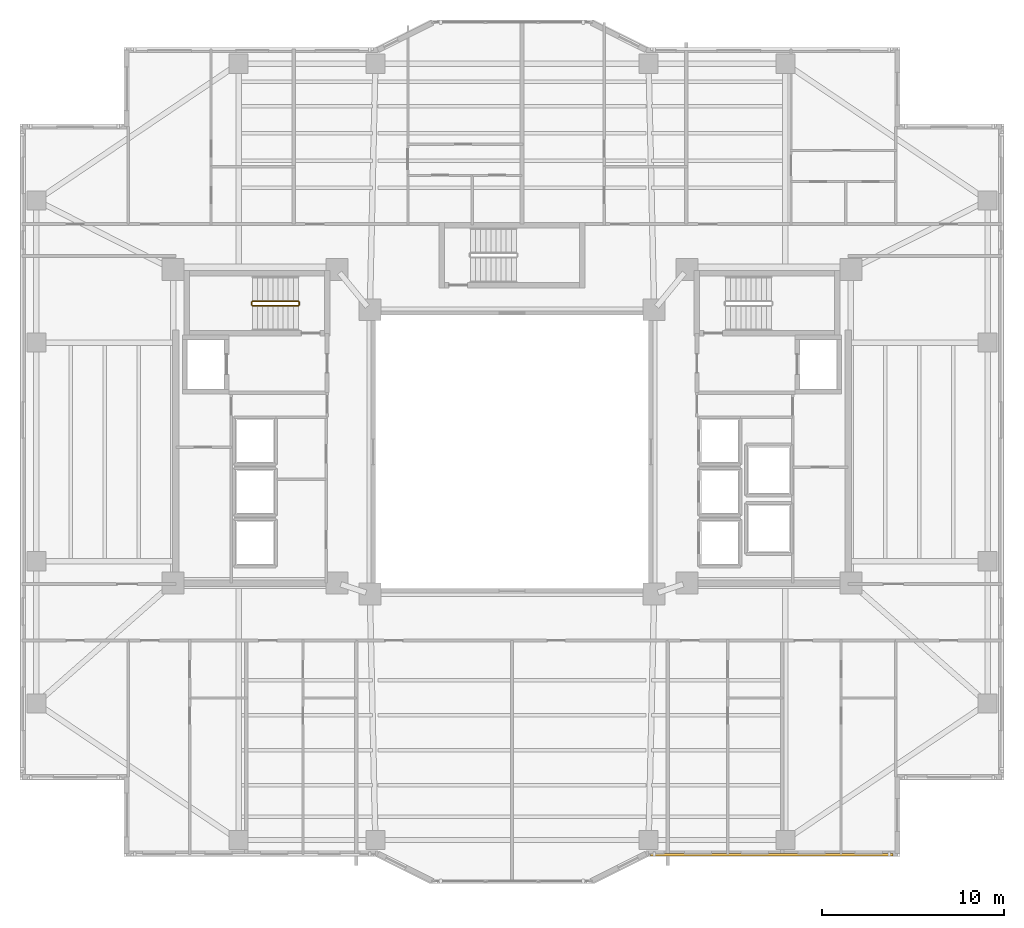
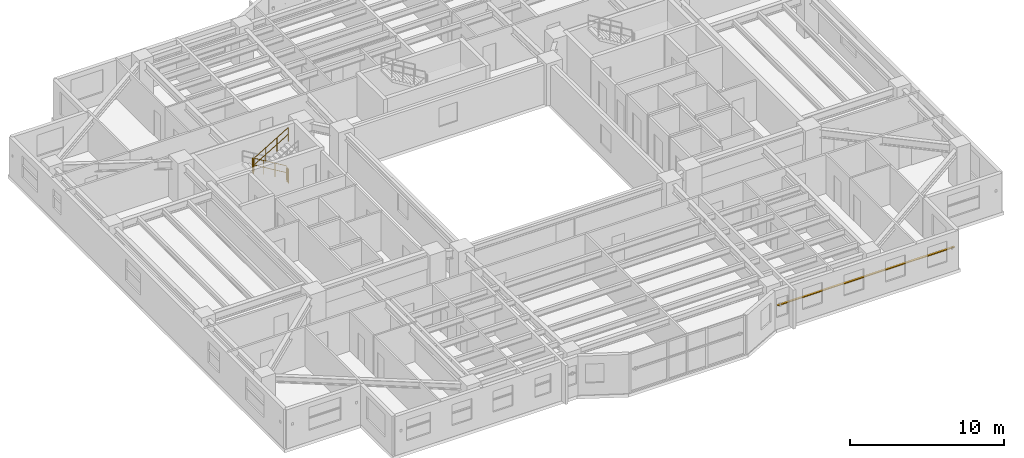
# One storey, part 15 of 18: 4 railings, 1 shading device.
"""IFC4 building model written with IfcOpenShell, lengths in metres."""

from ifc_helpers import new_model, si_unit, direction, frame, origin, origin_2d, place, context, subcontext, project, spatial, rectangle, circle, extrude, material, material_profile, profile_set, type_object, element, save


model = new_model("IFC4")

# Units and contexts
model_context = context("Model", 3, precision=1e-05, world=origin(), true_north=direction((0.0, 1.0)))
body_context = subcontext(model_context, "Body", "Model", "MODEL_VIEW")
ifc_project = project(units=[si_unit("LENGTHUNIT", "METRE"), si_unit("AREAUNIT", "SQUARE_METRE"), si_unit("VOLUMEUNIT", "CUBIC_METRE"), si_unit("PLANEANGLEUNIT", "RADIAN"), si_unit("MASSUNIT", "GRAM", prefix="KILO")], contexts=[model_context])

# Site, building, storey
site_placement = place(None, origin())
site = spatial("IfcSite", under=ifc_project, at=site_placement, CompositionType="ELEMENT")
building_placement = place(site_placement, origin())
building = spatial("IfcBuilding", under=site, at=building_placement, Name="Tarnavaz Court Tower", CompositionType="ELEMENT")
storey_placement = place(building_placement, frame((0.0, 0.0, 98.39990234375)))
storey = spatial("IfcBuildingStorey", under=building, at=storey_placement, Name="L26", CompositionType="ELEMENT", Elevation=98.39990234375)

# Railings
ifc_material_1 = material(Name="Galvanized Painted Tubular Steel", Category="steel")
railing_type = type_object("IfcRailingType", Name="RL-STGUARD-1120", PredefinedType="GUARDRAIL", material=ifc_material_1)
railing_1_placement = place(storey_placement, frame((-11.719970703125, 8.27001953125, 0.16748046875)))
element("IfcRailing", 1, at=railing_1_placement, inside=storey, type_object=railing_type, Name="L26 ST-W1 stair guard 1", PredefinedType="GUARDRAIL", context=body_context, shape_type="SweptSolid", body=[
    extrude(circle(Radius=0.02392578125, at=origin_2d()), frame((0.0, 0.0, 1.09619140625), z_axis=(-0.858159760407, 0.0, 0.513382728203), x_axis=(0.0, -1.0, 0.0)), (0.0, 0.0, 1.0), 2.9365234375),
    extrude(circle(Radius=0.02392578125, at=origin_2d()), frame((0.0, 0.0, 0.56005859375), z_axis=(-0.858159760407, 0.0, 0.513382728203), x_axis=(0.0, -1.0, 0.0)), (0.0, 0.0, 1.0), 2.9365234375),
    extrude(circle(Radius=0.02099609375, at=origin_2d()), origin(), (0.0, 0.0, 1.0), 1.072021484375),
    extrude(circle(Radius=0.02099609375, at=origin_2d()), frame((-0.840087890625, 0.0, 0.50244140625)), (0.0, 0.0, 1.0), 1.072021484375),
    extrude(circle(Radius=0.02099609375, at=origin_2d()), frame((-1.679931640625, 0.0, 1.005126953125)), (0.0, 0.0, 1.0), 1.072021484375),
    extrude(circle(Radius=0.02099609375, at=origin_2d()), frame((-2.52001953125, 0.0, 1.507568359375)), (0.0, 0.0, 1.0), 1.072021484375),
])
railing_2_placement = place(storey_placement, frame((-14.2900390625, 8.219970703125, 1.675048828125)))
element("IfcRailing", 2, at=railing_2_placement, inside=storey, type_object=railing_type, Name="L26 ST-W1 stair guard 2", PredefinedType="GUARDRAIL", context=body_context, shape_type="SweptSolid", body=[
    extrude(circle(Radius=0.02392578125, at=origin_2d()), frame((0.0, 0.0, 1.09619140625), z_axis=(0.0, -1.0, 0.0), x_axis=(1.0, 0.0, 0.0)), (0.0, 0.0, 1.0), 0.14990234375),
    extrude(circle(Radius=0.02392578125, at=origin_2d()), frame((0.0, 0.0, 0.56005859375), z_axis=(0.0, -1.0, 0.0), x_axis=(1.0, 0.0, 0.0)), (0.0, 0.0, 1.0), 0.14990234375),
    extrude(circle(Radius=0.02099609375, at=origin_2d()), origin(), (0.0, 0.0, 1.0), 1.072021484375),
    extrude(circle(Radius=0.02099609375, at=origin_2d()), frame((0.0, -0.14990234375, 0.0)), (0.0, 0.0, 1.0), 1.072021484375),
])
railing_3_placement = place(storey_placement, frame((-14.239990234375, 8.02001953125, 1.842529296875)))
element("IfcRailing", 3, at=railing_3_placement, inside=storey, type_object=railing_type, Name="L26 ST-W1 stair guard 3", PredefinedType="GUARDRAIL", context=body_context, shape_type="SweptSolid", body=[
    extrude(circle(Radius=0.02392578125, at=origin_2d()), frame((0.0, 0.0, 1.09619140625), z_axis=(0.858159760407, 0.0, 0.513382728203), x_axis=(0.0, 1.0, 0.0)), (0.0, 0.0, 1.0), 2.9365234375),
    extrude(circle(Radius=0.02392578125, at=origin_2d()), frame((0.0, 0.0, 0.56005859375), z_axis=(0.858159760407, 0.0, 0.513382728203), x_axis=(0.0, 1.0, 0.0)), (0.0, 0.0, 1.0), 2.9365234375),
    extrude(circle(Radius=0.02099609375, at=origin_2d()), origin(), (0.0, 0.0, 1.0), 1.072021484375),
    extrude(circle(Radius=0.02099609375, at=origin_2d()), frame((0.840087890625, 0.0, 0.50244140625)), (0.0, 0.0, 1.0), 1.072021484375),
    extrude(circle(Radius=0.02099609375, at=origin_2d()), frame((1.679931640625, 0.0, 1.005126953125)), (0.0, 0.0, 1.0), 1.072021484375),
    extrude(circle(Radius=0.02099609375, at=origin_2d()), frame((2.52001953125, 0.0, 1.507568359375)), (0.0, 0.0, 1.0), 1.072021484375),
])
railing_4_placement = place(storey_placement, frame((-11.669921875, 8.219970703125, 0.0)))
element("IfcRailing", 4, at=railing_4_placement, inside=storey, type_object=railing_type, Name="L26 ST-W1 stair guard 4", PredefinedType="GUARDRAIL", context=body_context, shape_type="SweptSolid", body=[
    extrude(circle(Radius=0.02392578125, at=origin_2d()), frame((0.0, 0.0, 1.09619140625), z_axis=(0.0, -1.0, 0.0), x_axis=(1.0, 0.0, 0.0)), (0.0, 0.0, 1.0), 0.14990234375),
    extrude(circle(Radius=0.02392578125, at=origin_2d()), frame((0.0, 0.0, 0.56005859375), z_axis=(0.0, -1.0, 0.0), x_axis=(1.0, 0.0, 0.0)), (0.0, 0.0, 1.0), 0.14990234375),
    extrude(circle(Radius=0.02099609375, at=origin_2d()), origin(), (0.0, 0.0, 1.0), 1.072021484375),
    extrude(circle(Radius=0.02099609375, at=origin_2d()), frame((0.0, -0.14990234375, 0.0)), (0.0, 0.0, 1.0), 1.072021484375),
])

# Shading device
ifc_material_2 = material(Name="Kiln-Fired Khorasan Terracotta Ceramic", Category="masonry")
ifc_material_profile = material_profile(ifc_material_2, rectangle(XDim=0.14990234375, YDim=0.06494140625, at=origin_2d()), Name="TC BAGUETTE 150X65")
ifc_profile_set = profile_set([ifc_material_profile], Name="Kiln-Fired Khorasan Terracotta Ceramic")
shading_device_type = type_object("IfcShadingDeviceType", Name="SD-BAG-150", PredefinedType="USERDEFINED", material=ifc_profile_set)
shading_device_placement = place(storey_placement, frame((20.89990234375, -22.110107421875, 1.85009765625), z_axis=(-1.0, 0.0, 0.0), x_axis=(0.0, -1.0, 0.0)))
element("IfcShadingDevice", 5, at=shading_device_placement, inside=storey, type_object=shading_device_type, Name="L26 Terracotta Baguette Screen FBG15", ObjectType="BAGUETTE", PredefinedType="USERDEFINED", context=body_context, shape_type="SweptSolid", body=[
    extrude(rectangle(XDim=0.14990234375, YDim=0.06494140625, at=origin_2d()), origin(), (0.0, 0.0, 1.0), 13.2998046875),
])

save(model, "model.ifc")
